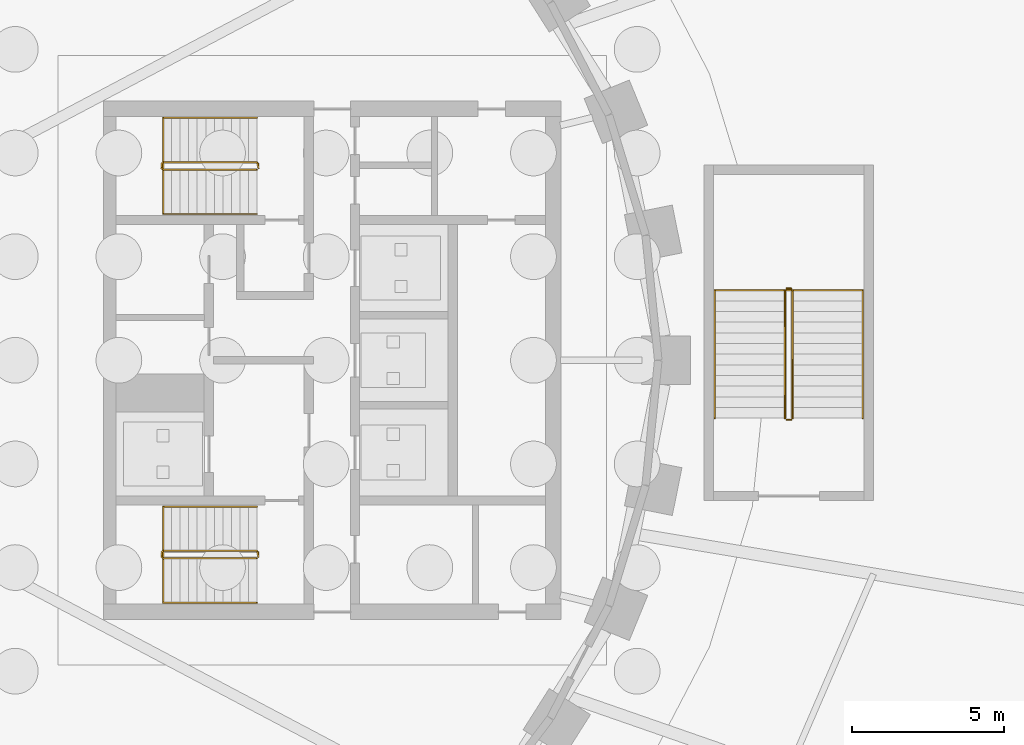
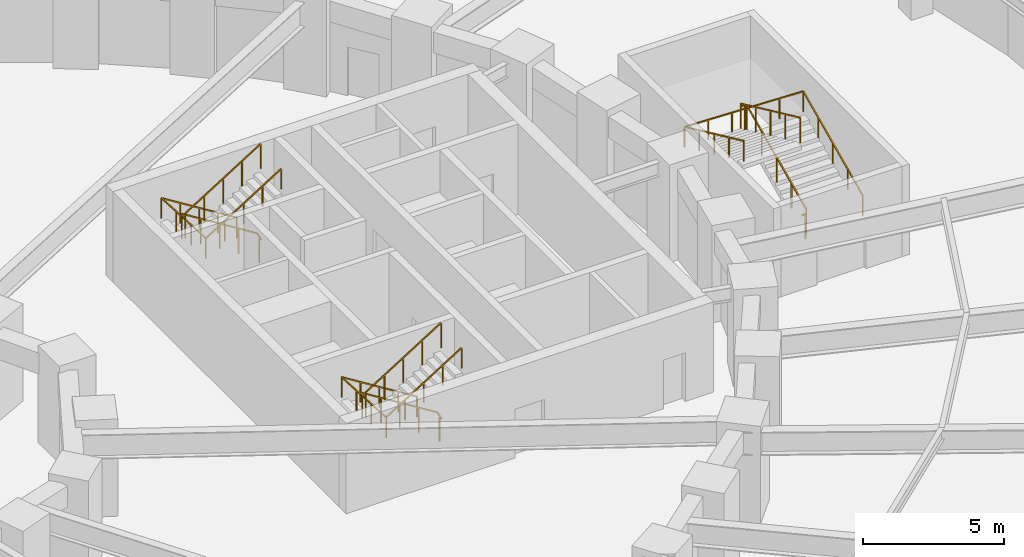
# One storey, part 18 of 19: 9 railings.
"""IFC4 building model written with IfcOpenShell, lengths in metres."""

from ifc_helpers import new_model, si_unit, direction, frame, origin, origin_2d, place, context, subcontext, project, spatial, rectangle, extrude, material, type_object, element, save


model = new_model("IFC4")

# Units and contexts
model_context = context("Model", 3, precision=1e-05, world=origin(), true_north=direction((0.0, 1.0)))
body_context = subcontext(model_context, "Body", "Model", "MODEL_VIEW")
ifc_project = project(units=[si_unit("LENGTHUNIT", "METRE"), si_unit("AREAUNIT", "SQUARE_METRE"), si_unit("VOLUMEUNIT", "CUBIC_METRE"), si_unit("PLANEANGLEUNIT", "RADIAN"), si_unit("MASSUNIT", "GRAM", prefix="KILO")], contexts=[model_context])

# Site, building, storey
site_placement = place(None, origin())
site = spatial("IfcSite", under=ifc_project, at=site_placement, CompositionType="ELEMENT")
building_placement = place(site_placement, origin())
building = spatial("IfcBuilding", under=site, at=building_placement, Name="Noorbagh Ring Tower", CompositionType="ELEMENT")
storey_placement = place(building_placement, frame((0.0, 0.0, -8.39990234375)))
storey = spatial("IfcBuildingStorey", under=building, at=storey_placement, Name="B2", CompositionType="ELEMENT", Elevation=-8.39990234375)

# Railings
ifc_material_1 = material(Name="Stainless steel", Category="steel")
railing_type_1 = type_object("IfcRailingType", Name="CORE-STAIR-GUARD", PredefinedType="GUARDRAIL", material=ifc_material_1)
railing_1_placement = place(storey_placement, frame((21.580078125, 6.449951171875, 0.0)))
element("IfcRailing", 1, at=railing_1_placement, inside=storey, type_object=railing_type_1, Name="B2 ST3 stair guard", PredefinedType="GUARDRAIL", context=body_context, shape_type="SweptSolid", body=[
    extrude(rectangle(XDim=0.048095703125, YDim=0.048095703125, at=origin_2d()), frame((0.0, 0.0, 1.076171875), z_axis=(0.0, -1.0, 0.0), x_axis=(1.0, 0.0, 0.0)), (0.0, 0.0, 1.0), 0.14990234375),
    extrude(rectangle(XDim=0.048095703125, YDim=0.048095703125, at=origin_2d()), frame((0.0, -0.14990234375, 1.076171875), z_axis=(-0.185185714094, 0.73983951143, 0.646794981909), x_axis=(-0.970072785993, -0.242814311512, 0.0)), (0.0, 0.0, 1.0), 0.270263671875),
    extrude(rectangle(XDim=0.048095703125, YDim=0.048095703125, at=origin_2d()), frame((-0.050048828125, 0.050048828125, 1.2509765625), z_axis=(-0.847998304005, 0.0, 0.529998940003), x_axis=(0.0, -1.0, 0.0)), (0.0, 0.0, 1.0), 3.632080078125),
    extrude(rectangle(XDim=0.048095703125, YDim=0.048095703125, at=origin_2d()), frame((-3.130126953125, 0.050048828125, 3.17578125), z_axis=(-0.707106781187, -0.707106781187, 0.0), x_axis=(0.707106781187, -0.707106781187, 0.0)), (0.0, 0.0, 1.0), 0.07080078125),
    extrude(rectangle(XDim=0.048095703125, YDim=0.048095703125, at=origin_2d()), frame((-3.18017578125, 0.0, 3.17578125), z_axis=(0.0, -1.0, 0.0), x_axis=(1.0, 0.0, 0.0)), (0.0, 0.0, 1.0), 0.14990234375),
    extrude(rectangle(XDim=0.048095703125, YDim=0.048095703125, at=origin_2d()), frame((-3.18017578125, -0.14990234375, 3.17578125), z_axis=(0.265065253269, -0.265065253269, 0.927081885822), x_axis=(0.707106781187, 0.707106781187, 0.0)), (0.0, 0.0, 1.0), 0.188720703125),
    extrude(rectangle(XDim=0.048095703125, YDim=0.048095703125, at=origin_2d()), frame((-3.130126953125, -0.199951171875, 3.35107421875), z_axis=(0.847998304005, 0.0, 0.529998940003), x_axis=(0.0, 1.0, 0.0)), (0.0, 0.0, 1.0), 3.632080078125),
    extrude(rectangle(XDim=0.0419921875, YDim=0.0419921875, at=origin_2d()), origin(), (0.0, 0.0, 1.0), 1.052001953125),
    extrude(rectangle(XDim=0.0419921875, YDim=0.0419921875, at=origin_2d()), frame((-0.820068359375, 0.050048828125, 0.656005859375)), (0.0, 0.0, 1.0), 1.052001953125),
    extrude(rectangle(XDim=0.0419921875, YDim=0.0419921875, at=origin_2d()), frame((-1.590087890625, 0.050048828125, 1.13720703125)), (0.0, 0.0, 1.0), 1.052001953125),
    extrude(rectangle(XDim=0.0419921875, YDim=0.0419921875, at=origin_2d()), frame((-2.360107421875, 0.050048828125, 1.61865234375)), (0.0, 0.0, 1.0), 1.052001953125),
    extrude(rectangle(XDim=0.0419921875, YDim=0.0419921875, at=origin_2d()), frame((-3.130126953125, 0.050048828125, 2.099853515625)), (0.0, 0.0, 1.0), 1.052001953125),
    extrude(rectangle(XDim=0.0419921875, YDim=0.0419921875, at=origin_2d()), frame((-3.130126953125, -0.199951171875, 2.27490234375)), (0.0, 0.0, 1.0), 1.052001953125),
    extrude(rectangle(XDim=0.0419921875, YDim=0.0419921875, at=origin_2d()), frame((-2.360107421875, -0.199951171875, 2.756103515625)), (0.0, 0.0, 1.0), 1.052001953125),
    extrude(rectangle(XDim=0.0419921875, YDim=0.0419921875, at=origin_2d()), frame((-1.590087890625, -0.199951171875, 3.2373046875)), (0.0, 0.0, 1.0), 1.052001953125),
    extrude(rectangle(XDim=0.0419921875, YDim=0.0419921875, at=origin_2d()), frame((-0.820068359375, -0.199951171875, 3.71875)), (0.0, 0.0, 1.0), 1.052001953125),
    extrude(rectangle(XDim=0.0419921875, YDim=0.0419921875, at=origin_2d()), frame((-0.050048828125, -0.199951171875, 4.199951171875)), (0.0, 0.0, 1.0), 1.052001953125),
])
railing_2_placement = place(storey_placement, frame((21.580078125, -6.300048828125, 0.0)))
element("IfcRailing", 2, at=railing_2_placement, inside=storey, type_object=railing_type_1, Name="B2 ST4 stair guard", PredefinedType="GUARDRAIL", context=body_context, shape_type="SweptSolid", body=[
    extrude(rectangle(XDim=0.048095703125, YDim=0.048095703125, at=origin_2d()), frame((0.0, 0.0, 1.076171875), z_axis=(0.0, -1.0, 0.0), x_axis=(1.0, 0.0, 0.0)), (0.0, 0.0, 1.0), 0.14990234375),
    extrude(rectangle(XDim=0.048095703125, YDim=0.048095703125, at=origin_2d()), frame((0.0, -0.14990234375, 1.076171875), z_axis=(-0.185185714094, 0.73983951143, 0.646794981909), x_axis=(-0.970072785993, -0.242814311512, 0.0)), (0.0, 0.0, 1.0), 0.270263671875),
    extrude(rectangle(XDim=0.048095703125, YDim=0.048095703125, at=origin_2d()), frame((-0.050048828125, 0.050048828125, 1.2509765625), z_axis=(-0.847998304005, 0.0, 0.529998940003), x_axis=(0.0, -1.0, 0.0)), (0.0, 0.0, 1.0), 3.632080078125),
    extrude(rectangle(XDim=0.048095703125, YDim=0.048095703125, at=origin_2d()), frame((-3.130126953125, 0.050048828125, 3.17578125), z_axis=(-0.707106781187, -0.707106781187, 0.0), x_axis=(0.707106781187, -0.707106781187, 0.0)), (0.0, 0.0, 1.0), 0.07080078125),
    extrude(rectangle(XDim=0.048095703125, YDim=0.048095703125, at=origin_2d()), frame((-3.18017578125, 0.0, 3.17578125), z_axis=(0.0, -1.0, 0.0), x_axis=(1.0, 0.0, 0.0)), (0.0, 0.0, 1.0), 0.14990234375),
    extrude(rectangle(XDim=0.048095703125, YDim=0.048095703125, at=origin_2d()), frame((-3.18017578125, -0.14990234375, 3.17578125), z_axis=(0.265065253269, -0.265065253269, 0.927081885822), x_axis=(0.707106781187, 0.707106781187, 0.0)), (0.0, 0.0, 1.0), 0.188720703125),
    extrude(rectangle(XDim=0.048095703125, YDim=0.048095703125, at=origin_2d()), frame((-3.130126953125, -0.199951171875, 3.35107421875), z_axis=(0.847998304005, 0.0, 0.529998940003), x_axis=(0.0, 1.0, 0.0)), (0.0, 0.0, 1.0), 3.632080078125),
    extrude(rectangle(XDim=0.0419921875, YDim=0.0419921875, at=origin_2d()), origin(), (0.0, 0.0, 1.0), 1.052001953125),
    extrude(rectangle(XDim=0.0419921875, YDim=0.0419921875, at=origin_2d()), frame((-0.820068359375, 0.050048828125, 0.656005859375)), (0.0, 0.0, 1.0), 1.052001953125),
    extrude(rectangle(XDim=0.0419921875, YDim=0.0419921875, at=origin_2d()), frame((-1.590087890625, 0.050048828125, 1.13720703125)), (0.0, 0.0, 1.0), 1.052001953125),
    extrude(rectangle(XDim=0.0419921875, YDim=0.0419921875, at=origin_2d()), frame((-2.360107421875, 0.050048828125, 1.61865234375)), (0.0, 0.0, 1.0), 1.052001953125),
    extrude(rectangle(XDim=0.0419921875, YDim=0.0419921875, at=origin_2d()), frame((-3.130126953125, 0.050048828125, 2.099853515625)), (0.0, 0.0, 1.0), 1.052001953125),
    extrude(rectangle(XDim=0.0419921875, YDim=0.0419921875, at=origin_2d()), frame((-3.130126953125, -0.199951171875, 2.27490234375)), (0.0, 0.0, 1.0), 1.052001953125),
    extrude(rectangle(XDim=0.0419921875, YDim=0.0419921875, at=origin_2d()), frame((-2.360107421875, -0.199951171875, 2.756103515625)), (0.0, 0.0, 1.0), 1.052001953125),
    extrude(rectangle(XDim=0.0419921875, YDim=0.0419921875, at=origin_2d()), frame((-1.590087890625, -0.199951171875, 3.2373046875)), (0.0, 0.0, 1.0), 1.052001953125),
    extrude(rectangle(XDim=0.0419921875, YDim=0.0419921875, at=origin_2d()), frame((-0.820068359375, -0.199951171875, 3.71875)), (0.0, 0.0, 1.0), 1.052001953125),
    extrude(rectangle(XDim=0.0419921875, YDim=0.0419921875, at=origin_2d()), frame((-0.050048828125, -0.199951171875, 4.199951171875)), (0.0, 0.0, 1.0), 1.052001953125),
])
ifc_material_2 = material(Name="Stainless steel", Category="steel")
railing_type_2 = type_object("IfcRailingType", Name="CORE-STAIR-HANDRAIL", PredefinedType="HANDRAIL", material=ifc_material_2)
railing_3_placement = place(storey_placement, frame((21.530029296875, 7.949951171875, 0.1748046875)))
element("IfcRailing", 3, at=railing_3_placement, inside=storey, type_object=railing_type_2, Name="B2 ST3 stair handrail", PredefinedType="HANDRAIL", context=body_context, shape_type="SweptSolid", body=[
    extrude(rectangle(XDim=0.048095703125, YDim=0.048095703125, at=origin_2d()), frame((0.0, 0.0, 0.8759765625), z_axis=(-0.847998304005, 0.0, 0.529998940003), x_axis=(0.0, -1.0, 0.0)), (0.0, 0.0, 1.0), 3.632080078125),
    extrude(rectangle(XDim=0.048095703125, YDim=0.048095703125, at=origin_2d()), frame((-3.080078125, 0.0, 2.80078125), z_axis=(0.0, -0.998459400591, 0.055487164023), x_axis=(1.0, 0.0, 0.0)), (0.0, 0.0, 1.0), 3.15478515625),
    extrude(rectangle(XDim=0.048095703125, YDim=0.048095703125, at=origin_2d()), frame((-3.080078125, -3.14990234375, 2.97607421875), z_axis=(0.847998304005, 0.0, 0.529998940003), x_axis=(0.0, 1.0, 0.0)), (0.0, 0.0, 1.0), 3.632080078125),
    extrude(rectangle(XDim=0.0419921875, YDim=0.0419921875, at=origin_2d()), origin(), (0.0, 0.0, 1.0), 0.851806640625),
    extrude(rectangle(XDim=0.0419921875, YDim=0.0419921875, at=origin_2d()), frame((-0.77001953125, 0.0, 0.481201171875)), (0.0, 0.0, 1.0), 0.851806640625),
    extrude(rectangle(XDim=0.0419921875, YDim=0.0419921875, at=origin_2d()), frame((-1.5400390625, 0.0, 0.96240234375)), (0.0, 0.0, 1.0), 0.851806640625),
    extrude(rectangle(XDim=0.0419921875, YDim=0.0419921875, at=origin_2d()), frame((-2.31005859375, 0.0, 1.44384765625)), (0.0, 0.0, 1.0), 0.851806640625),
    extrude(rectangle(XDim=0.0419921875, YDim=0.0419921875, at=origin_2d()), frame((-3.080078125, 0.0, 1.925048828125)), (0.0, 0.0, 1.0), 0.851806640625),
    extrude(rectangle(XDim=0.0419921875, YDim=0.0419921875, at=origin_2d()), frame((-3.080078125, -1.050048828125, 1.9833984375)), (0.0, 0.0, 1.0), 0.851806640625),
    extrude(rectangle(XDim=0.0419921875, YDim=0.0419921875, at=origin_2d()), frame((-3.080078125, -2.099853515625, 2.041748046875)), (0.0, 0.0, 1.0), 0.851806640625),
    extrude(rectangle(XDim=0.0419921875, YDim=0.0419921875, at=origin_2d()), frame((-3.080078125, -3.14990234375, 2.10009765625)), (0.0, 0.0, 1.0), 0.851806640625),
    extrude(rectangle(XDim=0.0419921875, YDim=0.0419921875, at=origin_2d()), frame((-2.31005859375, -3.14990234375, 2.581298828125)), (0.0, 0.0, 1.0), 0.851806640625),
    extrude(rectangle(XDim=0.0419921875, YDim=0.0419921875, at=origin_2d()), frame((-1.5400390625, -3.14990234375, 3.0625)), (0.0, 0.0, 1.0), 0.851806640625),
    extrude(rectangle(XDim=0.0419921875, YDim=0.0419921875, at=origin_2d()), frame((-0.77001953125, -3.14990234375, 3.5439453125)), (0.0, 0.0, 1.0), 0.851806640625),
    extrude(rectangle(XDim=0.0419921875, YDim=0.0419921875, at=origin_2d()), frame((0.0, -3.14990234375, 4.025146484375)), (0.0, 0.0, 1.0), 0.851806640625),
])
railing_4_placement = place(storey_placement, frame((21.530029296875, -4.800048828125, 0.1748046875)))
element("IfcRailing", 4, at=railing_4_placement, inside=storey, type_object=railing_type_2, Name="B2 ST4 stair handrail", PredefinedType="HANDRAIL", context=body_context, shape_type="SweptSolid", body=[
    extrude(rectangle(XDim=0.048095703125, YDim=0.048095703125, at=origin_2d()), frame((0.0, 0.0, 0.8759765625), z_axis=(-0.847998304005, 0.0, 0.529998940003), x_axis=(0.0, -1.0, 0.0)), (0.0, 0.0, 1.0), 3.632080078125),
    extrude(rectangle(XDim=0.048095703125, YDim=0.048095703125, at=origin_2d()), frame((-3.080078125, 0.0, 2.80078125), z_axis=(0.0, -0.998459400591, 0.055487164023), x_axis=(1.0, 0.0, 0.0)), (0.0, 0.0, 1.0), 3.15478515625),
    extrude(rectangle(XDim=0.048095703125, YDim=0.048095703125, at=origin_2d()), frame((-3.080078125, -3.14990234375, 2.97607421875), z_axis=(0.847998304005, 0.0, 0.529998940003), x_axis=(0.0, 1.0, 0.0)), (0.0, 0.0, 1.0), 3.632080078125),
    extrude(rectangle(XDim=0.0419921875, YDim=0.0419921875, at=origin_2d()), origin(), (0.0, 0.0, 1.0), 0.851806640625),
    extrude(rectangle(XDim=0.0419921875, YDim=0.0419921875, at=origin_2d()), frame((-0.77001953125, 0.0, 0.481201171875)), (0.0, 0.0, 1.0), 0.851806640625),
    extrude(rectangle(XDim=0.0419921875, YDim=0.0419921875, at=origin_2d()), frame((-1.5400390625, 0.0, 0.96240234375)), (0.0, 0.0, 1.0), 0.851806640625),
    extrude(rectangle(XDim=0.0419921875, YDim=0.0419921875, at=origin_2d()), frame((-2.31005859375, 0.0, 1.44384765625)), (0.0, 0.0, 1.0), 0.851806640625),
    extrude(rectangle(XDim=0.0419921875, YDim=0.0419921875, at=origin_2d()), frame((-3.080078125, 0.0, 1.925048828125)), (0.0, 0.0, 1.0), 0.851806640625),
    extrude(rectangle(XDim=0.0419921875, YDim=0.0419921875, at=origin_2d()), frame((-3.080078125, -1.050048828125, 1.9833984375)), (0.0, 0.0, 1.0), 0.851806640625),
    extrude(rectangle(XDim=0.0419921875, YDim=0.0419921875, at=origin_2d()), frame((-3.080078125, -2.099853515625, 2.041748046875)), (0.0, 0.0, 1.0), 0.851806640625),
    extrude(rectangle(XDim=0.0419921875, YDim=0.0419921875, at=origin_2d()), frame((-3.080078125, -3.14990234375, 2.10009765625)), (0.0, 0.0, 1.0), 0.851806640625),
    extrude(rectangle(XDim=0.0419921875, YDim=0.0419921875, at=origin_2d()), frame((-2.31005859375, -3.14990234375, 2.581298828125)), (0.0, 0.0, 1.0), 0.851806640625),
    extrude(rectangle(XDim=0.0419921875, YDim=0.0419921875, at=origin_2d()), frame((-1.5400390625, -3.14990234375, 3.0625)), (0.0, 0.0, 1.0), 0.851806640625),
    extrude(rectangle(XDim=0.0419921875, YDim=0.0419921875, at=origin_2d()), frame((-0.77001953125, -3.14990234375, 3.5439453125)), (0.0, 0.0, 1.0), 0.851806640625),
    extrude(rectangle(XDim=0.0419921875, YDim=0.0419921875, at=origin_2d()), frame((0.0, -3.14990234375, 4.025146484375)), (0.0, 0.0, 1.0), 0.851806640625),
])
ifc_material_3 = material(Name="Stainless steel", Category="steel")
railing_type_3 = type_object("IfcRailingType", Name="GND-STAIR-GUARD", PredefinedType="GUARDRAIL", material=ifc_material_3)
railing_5_placement = place(storey_placement, frame((39.10009765625, -1.89990234375, 0.161376953125)))
element("IfcRailing", 5, at=railing_5_placement, inside=storey, type_object=railing_type_3, Name="B2 ST-P2 stair guard", PredefinedType="GUARDRAIL", context=body_context, shape_type="SweptSolid", body=[
    extrude(rectangle(XDim=0.048095703125, YDim=0.048095703125, at=origin_2d()), frame((0.0, 0.0, 1.076171875), z_axis=(0.0, 0.907956294976, 0.419064871366), x_axis=(-1.0, 0.0, 0.0)), (0.0, 0.0, 1.0), 4.625732421875),
    extrude(rectangle(XDim=0.0419921875, YDim=0.0419921875, at=origin_2d()), origin(), (0.0, 0.0, 1.0), 1.052001953125),
    extrude(rectangle(XDim=0.0419921875, YDim=0.0419921875, at=origin_2d()), frame((0.0, 1.050048828125, 0.484619140625)), (0.0, 0.0, 1.0), 1.052001953125),
    extrude(rectangle(XDim=0.0419921875, YDim=0.0419921875, at=origin_2d()), frame((0.0, 2.10009765625, 0.96923828125)), (0.0, 0.0, 1.0), 1.052001953125),
    extrude(rectangle(XDim=0.0419921875, YDim=0.0419921875, at=origin_2d()), frame((0.0, 3.14990234375, 1.453857421875)), (0.0, 0.0, 1.0), 1.052001953125),
    extrude(rectangle(XDim=0.0419921875, YDim=0.0419921875, at=origin_2d()), frame((0.0, 4.199951171875, 1.9384765625)), (0.0, 0.0, 1.0), 1.052001953125),
])
railing_6_placement = place(storey_placement, frame((39.050048828125, 2.35009765625, 2.099853515625)))
element("IfcRailing", 6, at=railing_6_placement, inside=storey, type_object=railing_type_3, Name="B2 ST-P2 stair guard", PredefinedType="GUARDRAIL", context=body_context, shape_type="SweptSolid", body=[
    extrude(rectangle(XDim=0.048095703125, YDim=0.048095703125, at=origin_2d()), frame((0.0, 0.0, 1.076171875), z_axis=(-1.0, 0.0, 0.0), x_axis=(0.0, -1.0, 0.0)), (0.0, 0.0, 1.0), 0.150146484375),
    extrude(rectangle(XDim=0.0419921875, YDim=0.0419921875, at=origin_2d()), origin(), (0.0, 0.0, 1.0), 1.052001953125),
])
railing_7_placement = place(storey_placement, frame((38.85009765625, 2.300048828125, 2.261474609375)))
element("IfcRailing", 7, at=railing_7_placement, inside=storey, type_object=railing_type_3, Name="B2 ST-P2 stair guard", PredefinedType="GUARDRAIL", context=body_context, shape_type="SweptSolid", body=[
    extrude(rectangle(XDim=0.048095703125, YDim=0.048095703125, at=origin_2d()), frame((0.0, 0.0, 1.076171875), z_axis=(0.0, -0.907956294976, 0.419064871366), x_axis=(1.0, 0.0, 0.0)), (0.0, 0.0, 1.0), 4.625732421875),
    extrude(rectangle(XDim=0.0419921875, YDim=0.0419921875, at=origin_2d()), origin(), (0.0, 0.0, 1.0), 1.052001953125),
    extrude(rectangle(XDim=0.0419921875, YDim=0.0419921875, at=origin_2d()), frame((0.0, -1.050048828125, 0.484619140625)), (0.0, 0.0, 1.0), 1.052001953125),
    extrude(rectangle(XDim=0.0419921875, YDim=0.0419921875, at=origin_2d()), frame((0.0, -2.10009765625, 0.96923828125)), (0.0, 0.0, 1.0), 1.052001953125),
    extrude(rectangle(XDim=0.0419921875, YDim=0.0419921875, at=origin_2d()), frame((0.0, -3.14990234375, 1.453857421875)), (0.0, 0.0, 1.0), 1.052001953125),
    extrude(rectangle(XDim=0.0419921875, YDim=0.0419921875, at=origin_2d()), frame((0.0, -4.199951171875, 1.9384765625)), (0.0, 0.0, 1.0), 1.052001953125),
])
railing_8_placement = place(storey_placement, frame((39.050048828125, -1.949951171875, 0.0)))
element("IfcRailing", 8, at=railing_8_placement, inside=storey, type_object=railing_type_3, Name="B2 ST-P2 stair guard", PredefinedType="GUARDRAIL", context=body_context, shape_type="SweptSolid", body=[
    extrude(rectangle(XDim=0.048095703125, YDim=0.048095703125, at=origin_2d()), frame((0.0, 0.0, 1.076171875), z_axis=(-1.0, 0.0, 0.0), x_axis=(0.0, -1.0, 0.0)), (0.0, 0.0, 1.0), 0.150146484375),
    extrude(rectangle(XDim=0.0419921875, YDim=0.0419921875, at=origin_2d()), origin(), (0.0, 0.0, 1.0), 1.052001953125),
])
ifc_material_4 = material(Name="Stainless steel", Category="steel")
railing_type_4 = type_object("IfcRailingType", Name="GND-STAIR-HANDRAIL", PredefinedType="HANDRAIL", material=ifc_material_4)
railing_9_placement = place(storey_placement, frame((41.39990234375, -1.89990234375, 0.161376953125)))
element("IfcRailing", 9, at=railing_9_placement, inside=storey, type_object=railing_type_4, Name="B2 ST-P2 stair handrail", PredefinedType="HANDRAIL", context=body_context, shape_type="SweptSolid", body=[
    extrude(rectangle(XDim=0.048095703125, YDim=0.048095703125, at=origin_2d()), frame((0.0, 0.0, 0.8759765625), z_axis=(0.0, 0.907956294976, 0.419064871366), x_axis=(-1.0, 0.0, 0.0)), (0.0, 0.0, 1.0), 4.625732421875),
    extrude(rectangle(XDim=0.048095703125, YDim=0.048095703125, at=origin_2d()), frame((0.0, 4.199951171875, 2.814453125), z_axis=(-0.999445186144, 0.0, 0.033306454227), x_axis=(0.0, -1.0, 0.0)), (0.0, 0.0, 1.0), 4.8525390625),
    extrude(rectangle(XDim=0.048095703125, YDim=0.048095703125, at=origin_2d()), frame((-4.849853515625, 4.199951171875, 2.97607421875), z_axis=(0.0, -0.907956294976, 0.419064871366), x_axis=(1.0, 0.0, 0.0)), (0.0, 0.0, 1.0), 4.625732421875),
    extrude(rectangle(XDim=0.0419921875, YDim=0.0419921875, at=origin_2d()), origin(), (0.0, 0.0, 1.0), 0.851806640625),
    extrude(rectangle(XDim=0.0419921875, YDim=0.0419921875, at=origin_2d()), frame((0.0, 1.050048828125, 0.484619140625)), (0.0, 0.0, 1.0), 0.851806640625),
    extrude(rectangle(XDim=0.0419921875, YDim=0.0419921875, at=origin_2d()), frame((0.0, 2.10009765625, 0.96923828125)), (0.0, 0.0, 1.0), 0.851806640625),
    extrude(rectangle(XDim=0.0419921875, YDim=0.0419921875, at=origin_2d()), frame((0.0, 3.14990234375, 1.453857421875)), (0.0, 0.0, 1.0), 0.851806640625),
    extrude(rectangle(XDim=0.0419921875, YDim=0.0419921875, at=origin_2d()), frame((0.0, 4.199951171875, 1.9384765625)), (0.0, 0.0, 1.0), 0.851806640625),
    extrude(rectangle(XDim=0.0419921875, YDim=0.0419921875, at=origin_2d()), frame((-0.969970703125, 4.199951171875, 1.970703125)), (0.0, 0.0, 1.0), 0.851806640625),
    extrude(rectangle(XDim=0.0419921875, YDim=0.0419921875, at=origin_2d()), frame((-1.93994140625, 4.199951171875, 2.003173828125)), (0.0, 0.0, 1.0), 0.851806640625),
    extrude(rectangle(XDim=0.0419921875, YDim=0.0419921875, at=origin_2d()), frame((-2.909912109375, 4.199951171875, 2.035400390625)), (0.0, 0.0, 1.0), 0.851806640625),
    extrude(rectangle(XDim=0.0419921875, YDim=0.0419921875, at=origin_2d()), frame((-3.8798828125, 4.199951171875, 2.06787109375)), (0.0, 0.0, 1.0), 0.851806640625),
    extrude(rectangle(XDim=0.0419921875, YDim=0.0419921875, at=origin_2d()), frame((-4.849853515625, 4.199951171875, 2.10009765625)), (0.0, 0.0, 1.0), 0.851806640625),
    extrude(rectangle(XDim=0.0419921875, YDim=0.0419921875, at=origin_2d()), frame((-4.849853515625, 3.14990234375, 2.584716796875)), (0.0, 0.0, 1.0), 0.851806640625),
    extrude(rectangle(XDim=0.0419921875, YDim=0.0419921875, at=origin_2d()), frame((-4.849853515625, 2.10009765625, 3.0693359375)), (0.0, 0.0, 1.0), 0.851806640625),
    extrude(rectangle(XDim=0.0419921875, YDim=0.0419921875, at=origin_2d()), frame((-4.849853515625, 1.050048828125, 3.553955078125)), (0.0, 0.0, 1.0), 0.851806640625),
    extrude(rectangle(XDim=0.0419921875, YDim=0.0419921875, at=origin_2d()), frame((-4.849853515625, 0.0, 4.03857421875)), (0.0, 0.0, 1.0), 0.851806640625),
])

save(model, "model.ifc")
